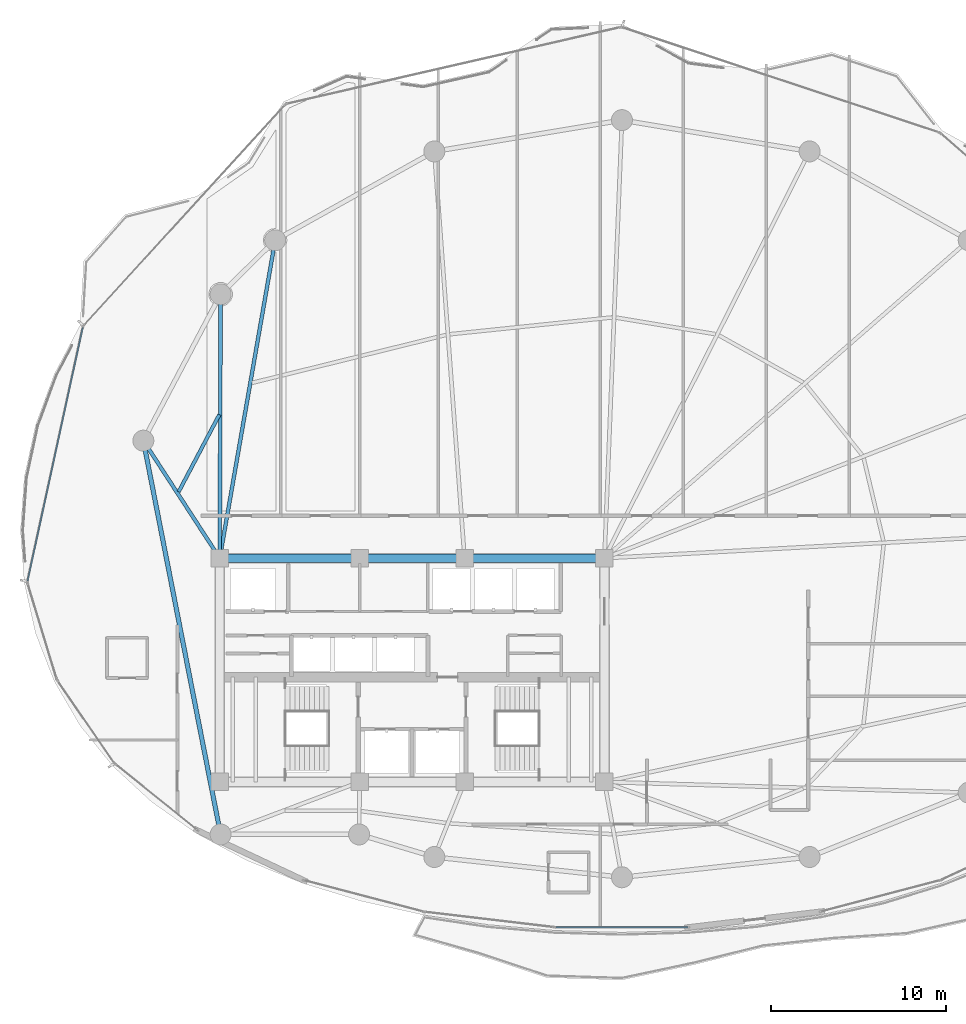
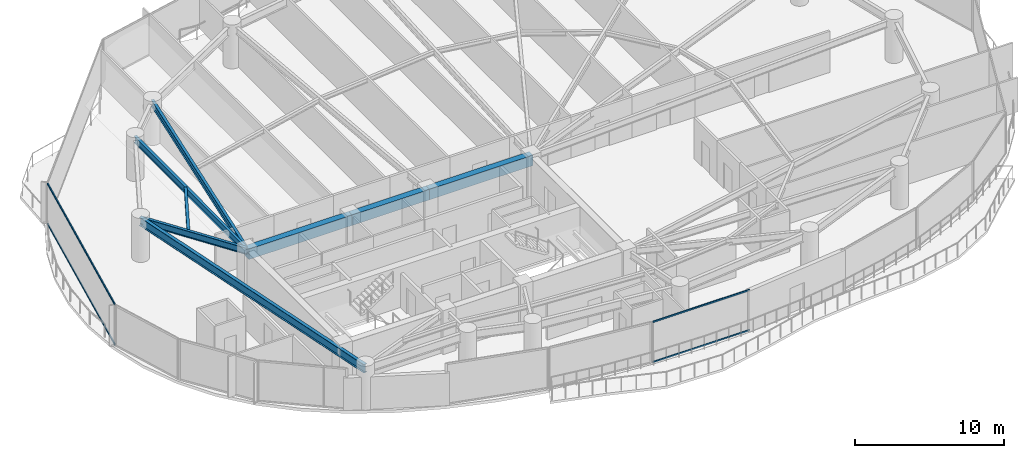
# One storey, part 9 of 34: 8 beams, 4 members, 2 elements without a shape of their own.
"""IFC4 building model written with IfcOpenShell, lengths in metres."""

from ifc_helpers import new_model, si_unit, direction, frame, origin, origin_2d, place, context, subcontext, project, spatial, rectangle, hollow_rectangle, i_section, extrude, material, layer, layer_set, material_profile, profile_set, type_object, element, aggregate, save


model = new_model("IFC4")

# Units and contexts
model_context = context("Model", 3, precision=1e-05, world=origin(), true_north=direction((0.0, 1.0)))
body_context = subcontext(model_context, "Body", "Model", "MODEL_VIEW")
ifc_project = project(units=[si_unit("LENGTHUNIT", "METRE"), si_unit("AREAUNIT", "SQUARE_METRE"), si_unit("VOLUMEUNIT", "CUBIC_METRE"), si_unit("PLANEANGLEUNIT", "RADIAN"), si_unit("MASSUNIT", "GRAM", prefix="KILO")], contexts=[model_context])

# Site, building, storey
site_placement = place(None, origin())
site = spatial("IfcSite", under=ifc_project, at=site_placement, CompositionType="ELEMENT")
building_placement = place(site_placement, origin())
building = spatial("IfcBuilding", under=site, at=building_placement, Name="Kazevale Care Tower and Concert Hall", CompositionType="ELEMENT")
storey_placement = place(building_placement, frame((0.0, 0.0, 174.60009765625)))
storey = spatial("IfcBuildingStorey", under=building, at=storey_placement, Name="L46", CompositionType="ELEMENT", Elevation=174.60009765625)

# Curtain wall, members
ifc_material_1 = material(Name="Aluminium 6063-T6 and Low-E Glass", Category="aluminium")
ifc_layer_1 = layer(ifc_material_1, 0.179931640625)
ifc_layer_set_1 = layer_set([ifc_layer_1], Name="Aluminium 6063-T6 and Low-E Glass")
curtain_wall_type_1 = type_object("IfcCurtainWallType", Name="Waist & Upper Residential Curtain Wall CW-4", PredefinedType="NOTDEFINED", material=ifc_layer_set_1)
curtain_wall_1_placement = place(storey_placement, origin())
curtain_wall_1 = element("IfcCurtainWall", 1, at=curtain_wall_1_placement, inside=storey, type_object=curtain_wall_type_1, Name="cw:L46:f13", PredefinedType="NOTDEFINED")
ifc_material_2 = material(Name="Aluminium 6063-T6", Category="aluminium")
ifc_material_profile_1 = material_profile(ifc_material_2, hollow_rectangle(XDim=0.080078125, YDim=0.139892578125, WallThickness=0.00390625, at=origin_2d()), Name="ALU80x140x4")
ifc_profile_set_1 = profile_set([ifc_material_profile_1], Name="Aluminium 6063-T6")
member_type_1 = type_object("IfcMemberType", Name="CW-4 Transom ALU80x140x4", PredefinedType="USERDEFINED", material=ifc_profile_set_1)
member_1_placement = place(storey_placement, frame((11.011962890625, 35.10205078125, 0.039794921875), z_axis=(0.212825500876, 0.977090224174, 0.0), x_axis=(-0.977090224174, 0.212825500876, 0.0)))
member_1 = element("IfcMember", 2, at=member_1_placement, type_object=member_type_1, Name="CW-4 transom 1.1", ObjectType="TRANSOM", PredefinedType="USERDEFINED", context=body_context, shape_type="SweptSolid", body=[
    extrude(hollow_rectangle(XDim=0.080078125, YDim=0.139892578125, WallThickness=0.00390625, at=origin_2d()), origin(), (0.0, 0.0, 1.0), 14.824462890625),
])
member_2_placement = place(storey_placement, frame((11.011962890625, 35.10205078125, 3.31982421875), z_axis=(0.212825500876, 0.977090224174, 0.0), x_axis=(-0.977090224174, 0.212825500876, 0.0)))
member_2 = element("IfcMember", 3, at=member_2_placement, type_object=member_type_1, Name="CW-4 transom 1.2", ObjectType="TRANSOM", PredefinedType="USERDEFINED", context=body_context, shape_type="SweptSolid", body=[
    extrude(hollow_rectangle(XDim=0.080078125, YDim=0.139892578125, WallThickness=0.00390625, at=origin_2d()), origin(), (0.0, 0.0, 1.0), 14.824462890625),
])
aggregate(curtain_wall_1, [member_1, member_2])

ifc_layer_2 = layer(ifc_material_1, 0.179931640625)
ifc_layer_set_2 = layer_set([ifc_layer_2], Name="Aluminium 6063-T6 and Low-E Glass")
curtain_wall_type_2 = type_object("IfcCurtainWallType", Name="Sheltered Concave Balcony Curtain Wall CW-5", PredefinedType="NOTDEFINED", material=ifc_layer_set_2)
curtain_wall_2_placement = place(storey_placement, origin())
curtain_wall_2 = element("IfcCurtainWall", 4, at=curtain_wall_2_placement, inside=storey, type_object=curtain_wall_type_2, Name="cw:L46:f06", PredefinedType="NOTDEFINED")
ifc_material_profile_2 = material_profile(ifc_material_2, hollow_rectangle(XDim=0.074951171875, YDim=0.1201171875, WallThickness=0.00390625, at=origin_2d()), Name="ALU75x120x4")
ifc_profile_set_2 = profile_set([ifc_material_profile_2], Name="Aluminium 6063-T6")
member_type_2 = type_object("IfcMemberType", Name="CW-5 Transom ALU75x120x4", PredefinedType="USERDEFINED", material=ifc_profile_set_2)
member_3_placement = place(storey_placement, frame((48.76611328125, 15.2890625, 0.037353515625), z_axis=(-1.0, 0.0, 0.0), x_axis=(0.0, -1.0, 0.0)))
member_3 = element("IfcMember", 5, at=member_3_placement, type_object=member_type_2, Name="CW-5 transom 1.1", ObjectType="TRANSOM", PredefinedType="USERDEFINED", context=body_context, shape_type="SweptSolid", body=[
    extrude(hollow_rectangle(XDim=0.074951171875, YDim=0.1201171875, WallThickness=0.00390625, at=origin_2d()), origin(), (0.0, 0.0, 1.0), 7.5322265625),
])
member_4_placement = place(storey_placement, frame((48.76611328125, 15.2890625, 3.322509765625), z_axis=(-1.0, 0.0, 0.0), x_axis=(0.0, -1.0, 0.0)))
member_4 = element("IfcMember", 6, at=member_4_placement, type_object=member_type_2, Name="CW-5 transom 1.2", ObjectType="TRANSOM", PredefinedType="USERDEFINED", context=body_context, shape_type="SweptSolid", body=[
    extrude(hollow_rectangle(XDim=0.074951171875, YDim=0.1201171875, WallThickness=0.00390625, at=origin_2d()), origin(), (0.0, 0.0, 1.0), 7.5322265625),
])
aggregate(curtain_wall_2, [member_3, member_4])

# Beams
ifc_material_3 = material(Name="Concrete C60", Category="concrete")
ifc_material_profile_3 = material_profile(ifc_material_3, rectangle(XDim=0.5, YDim=0.85009765625, at=origin_2d()), Name="RC-B500x850")
ifc_profile_set_3 = profile_set([ifc_material_profile_3], Name="Concrete C60")
beam_type_1 = type_object("IfcBeamType", Name="Core Coupling Beam RC500x850", PredefinedType="LINTEL", material=ifc_profile_set_3)
beam_1_placement = place(storey_placement, frame((44.0, 36.39990234375, 2.934814453125), z_axis=(-1.0, 0.0, 0.0), x_axis=(0.0, -1.0, 0.0)))
element("IfcBeam", 7, at=beam_1_placement, inside=storey, type_object=beam_type_1, Name="beam:L46:coretie:5", PredefinedType="LINTEL", context=body_context, shape_type="SweptSolid", body=[
    extrude(rectangle(XDim=0.5, YDim=0.85009765625, at=origin_2d()), origin(), (0.0, 0.0, 1.0), 8.0),
])
beam_2_placement = place(storey_placement, frame((36.0, 36.39990234375, 2.934814453125), z_axis=(-1.0, 0.0, 0.0), x_axis=(0.0, -1.0, 0.0)))
element("IfcBeam", 8, at=beam_2_placement, inside=storey, type_object=beam_type_1, Name="beam:L46:coretie:6", PredefinedType="LINTEL", context=body_context, shape_type="SweptSolid", body=[
    extrude(rectangle(XDim=0.5, YDim=0.85009765625, at=origin_2d()), origin(), (0.0, 0.0, 1.0), 6.0),
])
beam_3_placement = place(storey_placement, frame((30.0, 36.39990234375, 2.934814453125), z_axis=(-1.0, 0.0, 0.0), x_axis=(0.0, -1.0, 0.0)))
element("IfcBeam", 9, at=beam_3_placement, inside=storey, type_object=beam_type_1, Name="beam:L46:coretie:7", PredefinedType="LINTEL", context=body_context, shape_type="SweptSolid", body=[
    extrude(rectangle(XDim=0.5, YDim=0.85009765625, at=origin_2d()), origin(), (0.0, 0.0, 1.0), 8.0),
])
ifc_material_4 = material(Name="Steel ASTM A572 Gr 50", Category="steel")
ifc_material_profile_4 = material_profile(ifc_material_4, i_section(OverallWidth=0.2119140625, OverallDepth=0.5439453125, WebThickness=0.01318359375, FlangeThickness=0.021240234375, at=origin_2d()), Name="W530x123")
ifc_profile_set_4 = profile_set([ifc_material_profile_4], Name="Steel ASTM A572 Gr 50")
beam_type_2 = type_object("IfcBeamType", Name="Radial Floor Girder W530x123", PredefinedType="BEAM", material=ifc_profile_set_4)
beam_4_placement = place(storey_placement, frame((22.0, 36.39990234375, 3.087890625), z_axis=(0.171769935245, 0.985137091651, 0.0), x_axis=(-0.985137091651, 0.171769935245, 0.0)))
element("IfcBeam", 10, at=beam_4_placement, inside=storey, type_object=beam_type_2, Name="beam:L46:rad:07", PredefinedType="BEAM", context=body_context, shape_type="SweptSolid", body=[
    extrude(i_section(OverallWidth=0.2119140625, OverallDepth=0.5439453125, WebThickness=0.01318359375, FlangeThickness=0.021240234375, at=origin_2d()), origin(), (0.0, 0.0, 1.0), 18.454345703125),
])
beam_5_placement = place(storey_placement, frame((22.0, 36.39990234375, 3.087890625), z_axis=(0.003316650851, 0.999994499898, 0.0), x_axis=(-0.999994499898, 0.003316650851, 0.0)))
element("IfcBeam", 11, at=beam_5_placement, inside=storey, type_object=beam_type_2, Name="beam:L46:rad:08", PredefinedType="BEAM", context=body_context, shape_type="SweptSolid", body=[
    extrude(i_section(OverallWidth=0.2119140625, OverallDepth=0.5439453125, WebThickness=0.01318359375, FlangeThickness=0.021240234375, at=origin_2d()), origin(), (0.0, 0.0, 1.0), 15.090087890625),
])
beam_6_placement = place(storey_placement, frame((22.0, 36.39990234375, 3.087890625), z_axis=(-0.5451617613, 0.83833087383, 0.0), x_axis=(-0.83833087383, -0.5451617613, 0.0)))
element("IfcBeam", 12, at=beam_6_placement, inside=storey, type_object=beam_type_2, Name="beam:L46:rad:09", PredefinedType="BEAM", context=body_context, shape_type="SweptSolid", body=[
    extrude(i_section(OverallWidth=0.2119140625, OverallDepth=0.5439453125, WebThickness=0.01318359375, FlangeThickness=0.021240234375, at=origin_2d()), origin(), (0.0, 0.0, 1.0), 8.01611328125),
])
ifc_material_profile_5 = material_profile(ifc_material_4, i_section(OverallWidth=0.205078125, OverallDepth=0.35400390625, WebThickness=0.009521484375, FlangeThickness=0.016845703125, at=origin_2d()), Name="W360x79")
ifc_profile_set_5 = profile_set([ifc_material_profile_5], Name="Steel ASTM A572 Gr 50")
beam_type_3 = type_object("IfcBeamType", Name="Secondary Floor Joist W360x79", PredefinedType="JOIST", material=ifc_profile_set_5)
beam_7_placement = place(storey_placement, frame((21.97802734375, 44.60693359375, 3.182861328125), z_axis=(-0.466809583155, -0.884357853515, 0.0), x_axis=(0.884357853515, -0.466809583155, 0.0)))
element("IfcBeam", 13, at=beam_7_placement, inside=storey, type_object=beam_type_3, Name="beam:L46:joist:08", PredefinedType="JOIST", context=body_context, shape_type="SweptSolid", body=[
    extrude(i_section(OverallWidth=0.205078125, OverallDepth=0.35400390625, WebThickness=0.009521484375, FlangeThickness=0.016845703125, at=origin_2d()), origin(), (0.0, 0.0, 1.0), 4.99560546875),
])
ifc_material_profile_6 = material_profile(ifc_material_4, i_section(OverallWidth=0.256103515625, OverallDepth=0.693115234375, WebThickness=0.014404296875, FlangeThickness=0.023681640625, at=origin_2d()), Name="W690x170")
ifc_profile_set_6 = profile_set([ifc_material_profile_6], Name="Steel ASTM A572 Gr 50")
beam_type_4 = type_object("IfcBeamType", Name="Waist Ring Beam W690x170", PredefinedType="BEAM", material=ifc_profile_set_6)
beam_8_placement = place(storey_placement, frame((17.6298828125, 43.1201171875, 3.013427734375), z_axis=(0.192602267784, -0.9812769061, 0.0), x_axis=(0.9812769061, 0.192602267784, 0.0)))
element("IfcBeam", 14, at=beam_8_placement, inside=storey, type_object=beam_type_4, Name="beam:L46:ring:09", PredefinedType="BEAM", context=body_context, shape_type="SweptSolid", body=[
    extrude(i_section(OverallWidth=0.256103515625, OverallDepth=0.693115234375, WebThickness=0.014404296875, FlangeThickness=0.023681640625, at=origin_2d()), origin(), (0.0, 0.0, 1.0), 22.94970703125),
])

save(model, "model.ifc")
